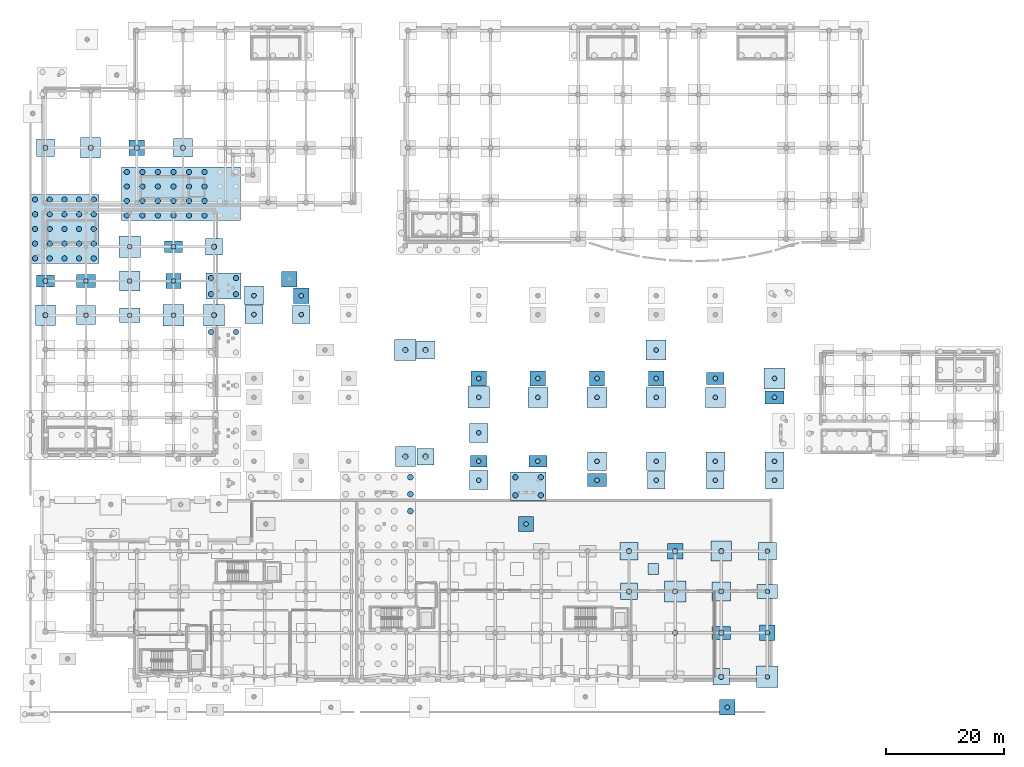
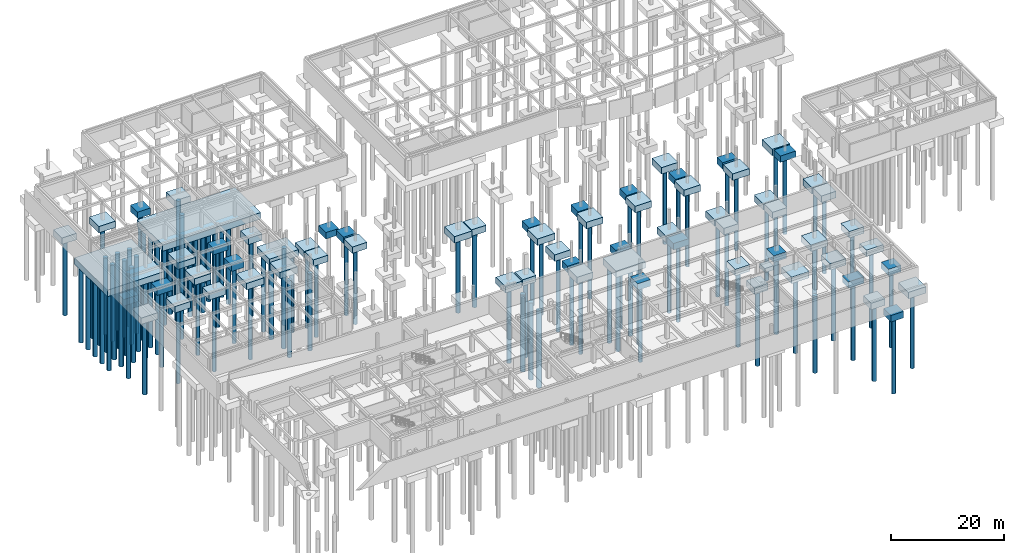
# One storey, part 3 of 22: 126 piles, 69 footings.
"""IFC4 building model written with IfcOpenShell, lengths in metres."""

from ifc_helpers import new_model, si_unit, direction, frame, origin, origin_2d, place, context, subcontext, project, spatial, polyline, rectangle, circle, outline, extrude, material, material_profile, profile_set, type_object, element, save


model = new_model("IFC4")

# Units and contexts
model_context = context("Model", 3, precision=1e-05, world=origin(), true_north=direction((0.0, 1.0)))
body_context = subcontext(model_context, "Body", "Model", "MODEL_VIEW")
ifc_project = project(units=[si_unit("LENGTHUNIT", "METRE"), si_unit("AREAUNIT", "SQUARE_METRE"), si_unit("VOLUMEUNIT", "CUBIC_METRE"), si_unit("PLANEANGLEUNIT", "RADIAN"), si_unit("MASSUNIT", "GRAM", prefix="KILO")], contexts=[model_context])

# Site, building, storey
site_placement = place(None, origin())
site = spatial("IfcSite", under=ifc_project, at=site_placement, CompositionType="ELEMENT")
building_placement = place(site_placement, origin())
building = spatial("IfcBuilding", under=site, at=building_placement, Name="Valcora Specialist Clinic", CompositionType="ELEMENT")
storey_placement = place(building_placement, frame((0.0, 0.0, -4.419921875)))
storey = spatial("IfcBuildingStorey", under=building, at=storey_placement, Name="B1", CompositionType="ELEMENT", Elevation=-4.419921875)

# Footings
ifc_material = material(Name="Concrete C35/45", Category="concrete")
footing_type_1 = type_object("IfcFootingType", Name="TY-FT-PC2600", PredefinedType="PILE_CAP", material=ifc_material)
for number, where, z_axis, x_axis, name in (
    (1, (22.39990234375, 67.678955078125, -1.400146484375), (0.0, 0.0, 1.0), (1.0, 0.0, 0.0), "Pile cap FT-PC-024"),
    (2, (16.199951171875, 90.199951171875, -1.400146484375), (0.0, 0.0, 1.0), (1.0, 0.0, 0.0), "Pile cap FT-PC-036"),
    (3, (107.199951171875, 22.0, -1.400146484375), (0.0, 0.0, 1.0), (1.0, 0.0, 0.0), "Pile cap FT-PC-168"),
    (4, (122.800048828125, 8.199951171875, -1.400146484375), (0.0, 0.0, 1.0), (1.0, 0.0, 0.0), "Pile cap FT-PC-174"),
    (5, (82.0, 26.60009765625, -1.400146484375), (0.0, 0.0, 1.0), (1.0, 0.0, 0.0), "Pile cap FT-PC-192"),
    (6, (44.0, 65.199951171875, -1.400146484375), (0.0, 0.0, 1.0), (1.0, 0.0, 0.0), "Pile cap FT-PC-213"),
    (7, (74.0, 51.199951171875, -1.400146484375), (0.0, 0.0, 1.0), (1.0, 0.0, 0.0), "Pile cap FT-PC-222"),
    (8, (84.0, 51.199951171875, -1.400146484375), (0.0, 0.0, 1.0), (1.0, 0.0, 0.0), "Pile cap FT-PC-227"),
    (9, (94.0, 51.199951171875, -1.400146484375), (0.0, 0.0, 1.0), (1.0, 0.0, 0.0), "Pile cap FT-PC-233"),
    (10, (104.0, 51.199951171875, -1.400146484375), (0.0, 0.0, 1.0), (1.0, 0.0, 0.0), "Pile cap FT-PC-239"),
    (11, (116.0, -4.39990234375, -1.400146484375), (0.0, 0.0, 1.0), (1.0, 0.0, 0.0), "Pile cap FT-PC-258"),
    (12, (42.0, 68.0, -1.400146484375), (0.0, 0.0, 1.0), (1.0, 0.0, 0.0), "Pile cap FT-PC-266"),
):
    element("IfcFooting", number, at=place(storey_placement, frame(where, z_axis=z_axis, x_axis=x_axis)), inside=storey, type_object=footing_type_1, Name=name, PredefinedType="PILE_CAP", context=body_context, shape_type="SweptSolid", body=[
        extrude(rectangle(XDim=2.60009765625, YDim=2.60009765625, at=origin_2d()), origin(), (0.0, 0.0, 1.0), 1.39990234375),
    ])
footing_type_2 = type_object("IfcFootingType", Name="TY-FT-PC2800", PredefinedType="PILE_CAP", material=ifc_material)
for number, where, z_axis, x_axis, name in (
    (13, (29.25, 73.464111328125, -1.400146484375), (0.0, 0.0, 1.0), (1.0, 0.0, 0.0), "Pile cap FT-PC-031"),
    (14, (99.39990234375, 15.199951171875, -1.400146484375), (0.0, 0.0, 1.0), (1.0, 0.0, 0.0), "Pile cap FT-PC-163"),
    (15, (115.0, 0.75, -1.400146484375), (0.0, 0.0, 1.0), (1.0, 0.0, 0.0), "Pile cap FT-PC-169"),
    (16, (65.0, 38.0, -1.400146484375), (0.0, 0.0, 1.0), (1.0, 0.0, 0.0), "Pile cap FT-PC-181"),
):
    element("IfcFooting", number, at=place(storey_placement, frame(where, z_axis=z_axis, x_axis=x_axis)), inside=storey, type_object=footing_type_2, Name=name, PredefinedType="PILE_CAP", context=body_context, shape_type="SweptSolid", body=[
        extrude(rectangle(XDim=2.800048828125, YDim=2.800048828125, at=origin_2d()), origin(), (0.0, 0.0, 1.0), 1.39990234375),
    ])
footing_type_3 = type_object("IfcFootingType", Name="TY-FT-PC2800X2000", PredefinedType="PILE_CAP", material=ifc_material)
footing_1_placement = place(storey_placement, frame((74.0, 37.199951171875, -1.400146484375), z_axis=(0.0, 0.0, 1.0), x_axis=(1.0, 0.0, 0.0)))
element("IfcFooting", 17, at=footing_1_placement, inside=storey, type_object=footing_type_3, Name="Pile cap FT-PC-220", PredefinedType="PILE_CAP", context=body_context, shape_type="SweptSolid", body=[
    extrude(rectangle(XDim=2.800048828125, YDim=2.0, at=origin_2d()), origin(), (0.0, 0.0, 1.0), 1.39990234375),
])
footing_type_4 = type_object("IfcFootingType", Name="TY-FT-PC3000", PredefinedType="PILE_CAP", material=ifc_material)
for number, where, z_axis, x_axis, name in (
    (18, (0.75, 90.199951171875, -1.400146484375), (0.0, 0.0, 1.0), (1.0, 0.0, 0.0), "Pile cap FT-PC-032"),
    (19, (99.39990234375, 22.0, -1.400146484375), (0.0, 0.0, 1.0), (1.0, 0.0, 0.0), "Pile cap FT-PC-164"),
    (20, (122.800048828125, 22.0, -1.400146484375), (0.0, 0.0, 1.0), (1.0, 0.0, 0.0), "Pile cap FT-PC-176"),
    (21, (65.0, 56.0, -1.400146484375), (0.0, 0.0, 1.0), (1.0, 0.0, 0.0), "Pile cap FT-PC-182"),
    (22, (36.0, 62.0, -1.400146484375), (0.0, 0.0, 1.0), (1.0, 0.0, 0.0), "Pile cap FT-PC-206"),
    (23, (44.0, 62.0, -1.400146484375), (0.0, 0.0, 1.0), (1.0, 0.0, 0.0), "Pile cap FT-PC-212"),
    (24, (104.0, 34.0, -1.400146484375), (0.0, 0.0, 1.0), (1.0, 0.0, 0.0), "Pile cap FT-PC-236"),
    (25, (114.0, 34.0, -1.400146484375), (0.0, 0.0, 1.0), (1.0, 0.0, 0.0), "Pile cap FT-PC-242"),
    (26, (124.0, 34.0, -1.400146484375), (0.0, 0.0, 1.0), (1.0, 0.0, 0.0), "Pile cap FT-PC-248"),
):
    element("IfcFooting", number, at=place(storey_placement, frame(where, z_axis=z_axis, x_axis=x_axis)), inside=storey, type_object=footing_type_4, Name=name, PredefinedType="PILE_CAP", context=body_context, shape_type="SweptSolid", body=[
        extrude(rectangle(XDim=3.0, YDim=3.0, at=origin_2d()), origin(), (0.0, 0.0, 1.0), 1.39990234375),
    ])
footing_type_5 = type_object("IfcFootingType", Name="TY-FT-PC3000X2000", PredefinedType="PILE_CAP", material=ifc_material)
for number, where, z_axis, x_axis, name in (
    (27, (0.75, 67.678955078125, -1.400146484375), (0.0, 0.0, 1.0), (1.0, 0.0, 0.0), "Pile cap FT-PC-005"),
    (28, (22.39990234375, 73.464111328125, -1.400146484375), (0.0, 0.0, 1.0), (1.0, 0.0, 0.0), "Pile cap FT-PC-025"),
    (29, (84.0, 37.199951171875, -1.400146484375), (0.0, 0.0, 1.0), (1.0, 0.0, 0.0), "Pile cap FT-PC-225"),
    (30, (114.0, 51.199951171875, -1.400146484375), (0.0, 0.0, 1.0), (1.0, 0.0, 0.0), "Pile cap FT-PC-245"),
):
    element("IfcFooting", number, at=place(storey_placement, frame(where, z_axis=z_axis, x_axis=x_axis)), inside=storey, type_object=footing_type_5, Name=name, PredefinedType="PILE_CAP", context=body_context, shape_type="SweptSolid", body=[
        extrude(rectangle(XDim=3.0, YDim=2.0, at=origin_2d()), origin(), (0.0, 0.0, 1.0), 1.39990234375),
    ])
footing_type_6 = type_object("IfcFootingType", Name="TY-FT-PC3200", PredefinedType="PILE_CAP", material=ifc_material)
for number, where, z_axis, x_axis, name in (
    (31, (7.60009765625, 61.89306640625, -1.400146484375), (0.0, 0.0, 1.0), (1.0, 0.0, 0.0), "Pile cap FT-PC-009"),
    (32, (24.0, 90.199951171875, -1.400146484375), (0.0, 0.0, 1.0), (1.0, 0.0, 0.0), "Pile cap FT-PC-039"),
    (33, (115.0, 15.199951171875, -1.400146484375), (0.0, 0.0, 1.0), (1.0, 0.0, 0.0), "Pile cap FT-PC-171"),
    (34, (36.0, 65.199951171875, -1.400146484375), (0.0, 0.0, 1.0), (1.0, 0.0, 0.0), "Pile cap FT-PC-207"),
    (35, (74.0, 34.0, -1.400146484375), (0.0, 0.0, 1.0), (1.0, 0.0, 0.0), "Pile cap FT-PC-219"),
    (36, (94.0, 37.199951171875, -1.400146484375), (0.0, 0.0, 1.0), (1.0, 0.0, 0.0), "Pile cap FT-PC-231"),
    (37, (104.0, 37.199951171875, -1.400146484375), (0.0, 0.0, 1.0), (1.0, 0.0, 0.0), "Pile cap FT-PC-237"),
    (38, (114.0, 37.199951171875, -1.400146484375), (0.0, 0.0, 1.0), (1.0, 0.0, 0.0), "Pile cap FT-PC-243"),
    (39, (124.0, 37.199951171875, -1.400146484375), (0.0, 0.0, 1.0), (1.0, 0.0, 0.0), "Pile cap FT-PC-249"),
    (40, (74.0, 42.0, -1.400146484375), (0.0, 0.0, 1.0), (1.0, 0.0, 0.0), "Pile cap FT-PC-267"),
):
    element("IfcFooting", number, at=place(storey_placement, frame(where, z_axis=z_axis, x_axis=x_axis)), inside=storey, type_object=footing_type_6, Name=name, PredefinedType="PILE_CAP", context=body_context, shape_type="SweptSolid", body=[
        extrude(rectangle(XDim=3.199951171875, YDim=3.199951171875, at=origin_2d()), origin(), (0.0, 0.0, 1.0), 1.39990234375),
    ])
footing_type_7 = type_object("IfcFootingType", Name="TY-FT-PC3200X2200", PredefinedType="PILE_CAP", material=ifc_material)
for number, where, z_axis, x_axis, name in (
    (41, (7.60009765625, 67.678955078125, -1.400146484375), (0.0, 0.0, 1.0), (1.0, 0.0, 0.0), "Pile cap FT-PC-010"),
    (42, (115.0, 8.199951171875, -1.400146484375), (0.0, 0.0, 1.0), (1.0, 0.0, 0.0), "Pile cap FT-PC-170"),
    (43, (94.0, 34.0, -1.400146484375), (0.0, 0.0, 1.0), (1.0, 0.0, 0.0), "Pile cap FT-PC-230"),
    (44, (124.0, 48.0, -1.400146484375), (0.0, 0.0, 1.0), (1.0, 0.0, 0.0), "Pile cap FT-PC-250"),
):
    element("IfcFooting", number, at=place(storey_placement, frame(where, z_axis=z_axis, x_axis=x_axis)), inside=storey, type_object=footing_type_7, Name=name, PredefinedType="PILE_CAP", context=body_context, shape_type="SweptSolid", body=[
        extrude(rectangle(XDim=3.199951171875, YDim=2.199951171875, at=origin_2d()), origin(), (0.0, 0.0, 1.0), 1.39990234375),
    ])
footing_type_8 = type_object("IfcFootingType", Name="TY-FT-PC3400", PredefinedType="PILE_CAP", material=ifc_material)
for number, where, z_axis, x_axis, name in (
    (45, (0.75, 61.89306640625, -1.400146484375), (0.0, 0.0, 1.0), (1.0, 0.0, 0.0), "Pile cap FT-PC-004"),
    (46, (15.0, 67.678955078125, -1.400146484375), (0.0, 0.0, 1.0), (1.0, 0.0, 0.0), "Pile cap FT-PC-016"),
    (47, (8.39990234375, 90.199951171875, -1.400146484375), (0.0, 0.0, 1.0), (1.0, 0.0, 0.0), "Pile cap FT-PC-034"),
    (48, (115.0, 22.0, -1.400146484375), (0.0, 0.0, 1.0), (1.0, 0.0, 0.0), "Pile cap FT-PC-172"),
    (49, (61.60009765625, 38.0, -1.400146484375), (0.0, 0.0, 1.0), (1.0, 0.0, 0.0), "Pile cap FT-PC-178"),
    (50, (84.0, 48.0, -1.400146484375), (0.0, 0.0, 1.0), (1.0, 0.0, 0.0), "Pile cap FT-PC-226"),
    (51, (94.0, 48.0, -1.400146484375), (0.0, 0.0, 1.0), (1.0, 0.0, 0.0), "Pile cap FT-PC-232"),
    (52, (104.0, 48.0, -1.400146484375), (0.0, 0.0, 1.0), (1.0, 0.0, 0.0), "Pile cap FT-PC-238"),
    (53, (114.0, 48.0, -1.400146484375), (0.0, 0.0, 1.0), (1.0, 0.0, 0.0), "Pile cap FT-PC-244"),
    (54, (104.0, 56.0, -1.400146484375), (0.0, 0.0, 1.0), (1.0, 0.0, 0.0), "Pile cap FT-PC-268"),
):
    element("IfcFooting", number, at=place(storey_placement, frame(where, z_axis=z_axis, x_axis=x_axis)), inside=storey, type_object=footing_type_8, Name=name, PredefinedType="PILE_CAP", context=body_context, shape_type="SweptSolid", body=[
        extrude(rectangle(XDim=3.39990234375, YDim=3.39990234375, at=origin_2d()), origin(), (0.0, 0.0, 1.0), 1.39990234375),
    ])
footing_type_9 = type_object("IfcFootingType", Name="TY-FT-PC3500X2400", PredefinedType="PILE_CAP", material=ifc_material)
for number, where, z_axis, x_axis, name in (
    (55, (15.0, 61.89306640625, -1.400146484375), (0.0, 0.0, 1.0), (1.0, 0.0, 0.0), "Pile cap FT-PC-015"),
    (56, (122.800048828125, 15.199951171875, -1.400146484375), (0.0, 0.0, 1.0), (1.0, 0.0, 0.0), "Pile cap FT-PC-175"),
):
    element("IfcFooting", number, at=place(storey_placement, frame(where, z_axis=z_axis, x_axis=x_axis)), inside=storey, type_object=footing_type_9, Name=name, PredefinedType="PILE_CAP", context=body_context, shape_type="SweptSolid", body=[
        extrude(rectangle(XDim=3.5, YDim=2.39990234375, at=origin_2d()), origin(), (0.0, 0.0, 1.0), 1.39990234375),
    ])
footing_type_10 = type_object("IfcFootingType", Name="TY-FT-PC3600", PredefinedType="PILE_CAP", material=ifc_material)
for number, where, z_axis, x_axis, name in (
    (57, (15.0, 73.464111328125, -1.400146484375), (0.0, 0.0, 1.0), (1.0, 0.0, 0.0), "Pile cap FT-PC-017"),
    (58, (22.39990234375, 61.89306640625, -1.400146484375), (0.0, 0.0, 1.0), (1.0, 0.0, 0.0), "Pile cap FT-PC-023"),
    (59, (29.25, 61.89306640625, -1.400146484375), (0.0, 0.0, 1.0), (1.0, 0.0, 0.0), "Pile cap FT-PC-029"),
    (60, (107.199951171875, 15.199951171875, -1.400146484375), (0.0, 0.0, 1.0), (1.0, 0.0, 0.0), "Pile cap FT-PC-167"),
    (61, (122.800048828125, 0.75, -1.400146484375), (0.0, 0.0, 1.0), (1.0, 0.0, 0.0), "Pile cap FT-PC-173"),
    (62, (61.60009765625, 56.0, -1.400146484375), (0.0, 0.0, 1.0), (1.0, 0.0, 0.0), "Pile cap FT-PC-179"),
    (63, (74.0, 48.0, -1.400146484375), (0.0, 0.0, 1.0), (1.0, 0.0, 0.0), "Pile cap FT-PC-221"),
    (64, (124.0, 51.199951171875, -1.400146484375), (0.0, 0.0, 1.0), (1.0, 0.0, 0.0), "Pile cap FT-PC-251"),
):
    element("IfcFooting", number, at=place(storey_placement, frame(where, z_axis=z_axis, x_axis=x_axis)), inside=storey, type_object=footing_type_10, Name=name, PredefinedType="PILE_CAP", context=body_context, shape_type="SweptSolid", body=[
        extrude(rectangle(XDim=3.60009765625, YDim=3.60009765625, at=origin_2d()), origin(), (0.0, 0.0, 1.0), 1.39990234375),
    ])
footing_type_11 = type_object("IfcFootingType", Name="TY-FT-PC4200X2800", PredefinedType="PILE_CAP", material=ifc_material)
footing_2_placement = place(storey_placement, frame((0.0, 0.0, -1.400146484375)))
element("IfcFooting", 65, at=footing_2_placement, inside=storey, type_object=footing_type_11, Name="Combined pile cap FT-PC-006", PredefinedType="PILE_CAP", context=body_context, shape_type="SweptSolid", body=[
    extrude(outline(polyline([(-1.85009765625, 70.64990234375), (9.77001953125, 70.64990234375), (9.77001953125, 82.300048828125), (-1.85009765625, 82.300048828125), (-1.85009765625, 70.64990234375)])), origin(), (0.0, 0.0, 1.0), 1.400146484375),
])
footing_3_placement = place(storey_placement, frame((0.0, 0.0, -1.400146484375)))
element("IfcFooting", 66, at=footing_3_placement, inside=storey, type_object=footing_type_11, Name="Combined pile cap FT-PC-018", PredefinedType="PILE_CAP", context=body_context, shape_type="SweptSolid", body=[
    extrude(outline(polyline([(13.64990234375, 77.89990234375), (33.75, 77.89990234375), (33.75, 86.949951171875), (13.64990234375, 86.949951171875), (13.64990234375, 77.89990234375)])), origin(), (0.0, 0.0, 1.0), 1.400146484375),
])
footing_4_placement = place(storey_placement, frame((0.0, 0.0, -1.400146484375)))
element("IfcFooting", 67, at=footing_4_placement, inside=storey, type_object=footing_type_11, Name="Combined pile cap FT-PC-030", PredefinedType="PILE_CAP", context=body_context, shape_type="SweptSolid", body=[
    extrude(outline(polyline([(27.89990234375, 64.60009765625), (33.800048828125, 64.60009765625), (33.800048828125, 69.029052734375), (27.89990234375, 69.029052734375), (27.89990234375, 64.60009765625)])), origin(), (0.0, 0.0, 1.0), 1.400146484375),
])
footing_type_12 = type_object("IfcFootingType", Name="TY-FT-PC4800X3200", PredefinedType="PILE_CAP", material=ifc_material)
footing_5_placement = place(storey_placement, frame((0.0, 0.0, -1.400146484375)))
element("IfcFooting", 68, at=footing_5_placement, inside=storey, type_object=footing_type_12, Name="Combined pile cap FT-PC-191", PredefinedType="PILE_CAP", context=body_context, shape_type="SweptSolid", body=[
    extrude(outline(polyline([(79.35009765625, 30.60009765625), (85.35009765625, 30.60009765625), (85.35009765625, 35.35009765625), (79.35009765625, 35.35009765625), (79.35009765625, 30.60009765625)])), origin(), (0.0, 0.0, 1.0), 1.400146484375),
])
footing_type_13 = type_object("IfcFootingType", Name="TY-FT-PD1800", PredefinedType="PAD_FOOTING", material=ifc_material)
footing_6_placement = place(storey_placement, frame((103.5, 19.0, -0.900146484375), z_axis=(0.0, 0.0, 1.0), x_axis=(1.0, 0.0, 0.0)))
element("IfcFooting", 69, at=footing_6_placement, inside=storey, type_object=footing_type_13, Name="Equipment pad footing FT-PAD-06", PredefinedType="PAD_FOOTING", context=body_context, shape_type="SweptSolid", body=[
    extrude(rectangle(XDim=1.800048828125, YDim=1.800048828125, at=origin_2d()), origin(), (0.0, 0.0, 1.0), 0.89990234375),
])

# Piles
ifc_material_profile_1 = material_profile(ifc_material, circle(Radius=0.5, at=origin_2d()), Name="RC-PIL-D1000")
ifc_profile_set_1 = profile_set([ifc_material_profile_1], Name="Concrete C35/45")
pile_type_1 = type_object("IfcPileType", Name="TY-PL-B1000", PredefinedType="BORED", material=ifc_profile_set_1)
for number, where, z_axis, x_axis, name in (
    (70, (62.449951171875, 28.76708984375, -1.300048828125), (0.0, 0.0, -1.0), (1.0, 0.0, 0.0), "Bored pile PL-FT-PC-144-63"),
    (71, (62.449951171875, 31.633056640625, -1.300048828125), (0.0, 0.0, -1.0), (1.0, 0.0, 0.0), "Bored pile PL-FT-PC-144-64"),
    (72, (62.449951171875, 34.5, -1.300048828125), (0.0, 0.0, -1.0), (1.0, 0.0, 0.0), "Bored pile PL-FT-PC-144-65"),
):
    element("IfcPile", number, at=place(storey_placement, frame(where, z_axis=z_axis, x_axis=x_axis)), inside=storey, type_object=pile_type_1, Name=name, PredefinedType="BORED", context=body_context, shape_type="SweptSolid", body=[
        extrude(circle(Radius=0.5, at=origin_2d()), origin(), (0.0, 0.0, 1.0), 16.699951171875),
    ])
ifc_material_profile_2 = material_profile(ifc_material, circle(Radius=0.39990234375, at=origin_2d()), Name="RC-PIL-D800")
ifc_profile_set_2 = profile_set([ifc_material_profile_2], Name="Concrete C35/45")
pile_type_2 = type_object("IfcPileType", Name="TY-PL-B800", PredefinedType="BORED", material=ifc_profile_set_2)
for number, where, z_axis, x_axis, name in (
    (73, (7.60009765625, 61.89306640625, -1.300048828125), (0.0, 0.0, -1.0), (1.0, 0.0, 0.0), "Bored pile PL-FT-PC-009-01"),
    (74, (7.60009765625, 67.678955078125, -1.300048828125), (0.0, 0.0, -1.0), (1.0, 0.0, 0.0), "Bored pile PL-FT-PC-010-01"),
    (75, (15.0, 61.89306640625, -1.300048828125), (0.0, 0.0, -1.0), (1.0, 0.0, 0.0), "Bored pile PL-FT-PC-015-01"),
    (76, (15.0, 67.678955078125, -1.300048828125), (0.0, 0.0, -1.0), (1.0, 0.0, 0.0), "Bored pile PL-FT-PC-016-01"),
    (77, (15.0, 73.464111328125, -1.300048828125), (0.0, 0.0, -1.0), (1.0, 0.0, 0.0), "Bored pile PL-FT-PC-017-01"),
    (78, (22.39990234375, 61.89306640625, -1.300048828125), (0.0, 0.0, -1.0), (1.0, 0.0, 0.0), "Bored pile PL-FT-PC-023-01"),
    (79, (22.39990234375, 67.678955078125, -1.300048828125), (0.0, 0.0, -1.0), (1.0, 0.0, 0.0), "Bored pile PL-FT-PC-024-01"),
    (80, (22.39990234375, 73.464111328125, -1.300048828125), (0.0, 0.0, -1.0), (1.0, 0.0, 0.0), "Bored pile PL-FT-PC-025-01"),
    (81, (122.800048828125, 0.75, -1.300048828125), (0.0, 0.0, -1.0), (1.0, 0.0, 0.0), "Bored pile PL-FT-PC-173-01"),
    (82, (122.800048828125, 8.199951171875, -1.300048828125), (0.0, 0.0, -1.0), (1.0, 0.0, 0.0), "Bored pile PL-FT-PC-174-01"),
    (83, (122.800048828125, 15.199951171875, -1.300048828125), (0.0, 0.0, -1.0), (1.0, 0.0, 0.0), "Bored pile PL-FT-PC-175-01"),
    (84, (122.800048828125, 22.0, -1.300048828125), (0.0, 0.0, -1.0), (1.0, 0.0, 0.0), "Bored pile PL-FT-PC-176-01"),
    (85, (82.0, 26.60009765625, -1.300048828125), (0.0, 0.0, -1.0), (1.0, 0.0, 0.0), "Bored pile PL-FT-PC-192-01"),
    (86, (36.0, 62.0, -1.300048828125), (0.0, 0.0, -1.0), (1.0, 0.0, 0.0), "Bored pile PL-FT-PC-206-01"),
    (87, (36.0, 65.199951171875, -1.300048828125), (0.0, 0.0, -1.0), (1.0, 0.0, 0.0), "Bored pile PL-FT-PC-207-01"),
    (88, (44.0, 62.0, -1.300048828125), (0.0, 0.0, -1.0), (1.0, 0.0, 0.0), "Bored pile PL-FT-PC-212-01"),
    (89, (44.0, 65.199951171875, -1.300048828125), (0.0, 0.0, -1.0), (1.0, 0.0, 0.0), "Bored pile PL-FT-PC-213-01"),
    (90, (74.0, 34.0, -1.300048828125), (0.0, 0.0, -1.0), (1.0, 0.0, 0.0), "Bored pile PL-FT-PC-219-01"),
    (91, (74.0, 37.199951171875, -1.300048828125), (0.0, 0.0, -1.0), (1.0, 0.0, 0.0), "Bored pile PL-FT-PC-220-01"),
    (92, (74.0, 48.0, -1.300048828125), (0.0, 0.0, -1.0), (1.0, 0.0, 0.0), "Bored pile PL-FT-PC-221-01"),
    (93, (74.0, 51.199951171875, -1.300048828125), (0.0, 0.0, -1.0), (1.0, 0.0, 0.0), "Bored pile PL-FT-PC-222-01"),
    (94, (84.0, 37.199951171875, -1.300048828125), (0.0, 0.0, -1.0), (1.0, 0.0, 0.0), "Bored pile PL-FT-PC-225-01"),
    (95, (84.0, 48.0, -1.300048828125), (0.0, 0.0, -1.0), (1.0, 0.0, 0.0), "Bored pile PL-FT-PC-226-01"),
    (96, (84.0, 51.199951171875, -1.300048828125), (0.0, 0.0, -1.0), (1.0, 0.0, 0.0), "Bored pile PL-FT-PC-227-01"),
    (97, (94.0, 34.0, -1.300048828125), (0.0, 0.0, -1.0), (1.0, 0.0, 0.0), "Bored pile PL-FT-PC-230-01"),
    (98, (94.0, 37.199951171875, -1.300048828125), (0.0, 0.0, -1.0), (1.0, 0.0, 0.0), "Bored pile PL-FT-PC-231-01"),
    (99, (94.0, 48.0, -1.300048828125), (0.0, 0.0, -1.0), (1.0, 0.0, 0.0), "Bored pile PL-FT-PC-232-01"),
    (100, (94.0, 51.199951171875, -1.300048828125), (0.0, 0.0, -1.0), (1.0, 0.0, 0.0), "Bored pile PL-FT-PC-233-01"),
    (101, (104.0, 34.0, -1.300048828125), (0.0, 0.0, -1.0), (1.0, 0.0, 0.0), "Bored pile PL-FT-PC-236-01"),
    (102, (104.0, 37.199951171875, -1.300048828125), (0.0, 0.0, -1.0), (1.0, 0.0, 0.0), "Bored pile PL-FT-PC-237-01"),
    (103, (104.0, 48.0, -1.300048828125), (0.0, 0.0, -1.0), (1.0, 0.0, 0.0), "Bored pile PL-FT-PC-238-01"),
    (104, (104.0, 51.199951171875, -1.300048828125), (0.0, 0.0, -1.0), (1.0, 0.0, 0.0), "Bored pile PL-FT-PC-239-01"),
    (105, (114.0, 34.0, -1.300048828125), (0.0, 0.0, -1.0), (1.0, 0.0, 0.0), "Bored pile PL-FT-PC-242-01"),
    (106, (114.0, 37.199951171875, -1.300048828125), (0.0, 0.0, -1.0), (1.0, 0.0, 0.0), "Bored pile PL-FT-PC-243-01"),
    (107, (114.0, 48.0, -1.300048828125), (0.0, 0.0, -1.0), (1.0, 0.0, 0.0), "Bored pile PL-FT-PC-244-01"),
    (108, (114.0, 51.199951171875, -1.300048828125), (0.0, 0.0, -1.0), (1.0, 0.0, 0.0), "Bored pile PL-FT-PC-245-01"),
    (109, (124.0, 34.0, -1.300048828125), (0.0, 0.0, -1.0), (1.0, 0.0, 0.0), "Bored pile PL-FT-PC-248-01"),
    (110, (124.0, 37.199951171875, -1.300048828125), (0.0, 0.0, -1.0), (1.0, 0.0, 0.0), "Bored pile PL-FT-PC-249-01"),
    (111, (124.0, 48.0, -1.300048828125), (0.0, 0.0, -1.0), (1.0, 0.0, 0.0), "Bored pile PL-FT-PC-250-01"),
    (112, (124.0, 51.199951171875, -1.300048828125), (0.0, 0.0, -1.0), (1.0, 0.0, 0.0), "Bored pile PL-FT-PC-251-01"),
    (113, (116.0, -4.39990234375, -1.300048828125), (0.0, 0.0, -1.0), (1.0, 0.0, 0.0), "Bored pile PL-FT-PC-258-01"),
    (114, (74.0, 42.0, -1.300048828125), (0.0, 0.0, -1.0), (1.0, 0.0, 0.0), "Bored pile PL-FT-PC-267-01"),
    (115, (104.0, 56.0, -1.300048828125), (0.0, 0.0, -1.0), (1.0, 0.0, 0.0), "Bored pile PL-FT-PC-268-01"),
):
    element("IfcPile", number, at=place(storey_placement, frame(where, z_axis=z_axis, x_axis=x_axis)), inside=storey, type_object=pile_type_2, Name=name, PredefinedType="BORED", context=body_context, shape_type="SweptSolid", body=[
        extrude(circle(Radius=0.39990234375, at=origin_2d()), origin(), (0.0, 0.0, 1.0), 16.699951171875),
    ])
ifc_material_profile_3 = material_profile(ifc_material, circle(Radius=0.449951171875, at=origin_2d()), Name="RC-PIL-D900")
ifc_profile_set_3 = profile_set([ifc_material_profile_3], Name="Concrete C35/45")
pile_type_3 = type_object("IfcPileType", Name="TY-PL-B900", PredefinedType="BORED", material=ifc_profile_set_3)
for number, where, z_axis, x_axis, name in (
    (116, (0.75, 61.89306640625, -1.300048828125), (0.0, 0.0, -1.0), (1.0, 0.0, 0.0), "Bored pile PL-FT-PC-004-01"),
    (117, (0.75, 67.678955078125, -1.300048828125), (0.0, 0.0, -1.0), (1.0, 0.0, 0.0), "Bored pile PL-FT-PC-005-01"),
    (118, (-1.0, 71.5, -1.300048828125), (0.0, 0.0, -1.0), (1.0, 0.0, 0.0), "Bored pile PL-FT-PC-006-01"),
    (119, (-1.0, 73.987060546875, -1.300048828125), (0.0, 0.0, -1.0), (1.0, 0.0, 0.0), "Bored pile PL-FT-PC-006-02"),
    (120, (-1.0, 76.47509765625, -1.300048828125), (0.0, 0.0, -1.0), (1.0, 0.0, 0.0), "Bored pile PL-FT-PC-006-03"),
    (121, (-1.0, 78.962890625, -1.300048828125), (0.0, 0.0, -1.0), (1.0, 0.0, 0.0), "Bored pile PL-FT-PC-006-04"),
    (122, (-1.0, 81.449951171875, -1.300048828125), (0.0, 0.0, -1.0), (1.0, 0.0, 0.0), "Bored pile PL-FT-PC-006-05"),
    (123, (1.47998046875, 71.5, -1.300048828125), (0.0, 0.0, -1.0), (1.0, 0.0, 0.0), "Bored pile PL-FT-PC-006-06"),
    (124, (1.47998046875, 73.987060546875, -1.300048828125), (0.0, 0.0, -1.0), (1.0, 0.0, 0.0), "Bored pile PL-FT-PC-006-07"),
    (125, (1.47998046875, 76.47509765625, -1.300048828125), (0.0, 0.0, -1.0), (1.0, 0.0, 0.0), "Bored pile PL-FT-PC-006-08"),
    (126, (1.47998046875, 78.962890625, -1.300048828125), (0.0, 0.0, -1.0), (1.0, 0.0, 0.0), "Bored pile PL-FT-PC-006-09"),
    (127, (1.47998046875, 81.449951171875, -1.300048828125), (0.0, 0.0, -1.0), (1.0, 0.0, 0.0), "Bored pile PL-FT-PC-006-10"),
    (128, (3.9599609375, 71.5, -1.300048828125), (0.0, 0.0, -1.0), (1.0, 0.0, 0.0), "Bored pile PL-FT-PC-006-11"),
    (129, (3.9599609375, 73.987060546875, -1.300048828125), (0.0, 0.0, -1.0), (1.0, 0.0, 0.0), "Bored pile PL-FT-PC-006-12"),
    (130, (3.9599609375, 76.47509765625, -1.300048828125), (0.0, 0.0, -1.0), (1.0, 0.0, 0.0), "Bored pile PL-FT-PC-006-13"),
    (131, (3.9599609375, 78.962890625, -1.300048828125), (0.0, 0.0, -1.0), (1.0, 0.0, 0.0), "Bored pile PL-FT-PC-006-14"),
    (132, (3.9599609375, 81.449951171875, -1.300048828125), (0.0, 0.0, -1.0), (1.0, 0.0, 0.0), "Bored pile PL-FT-PC-006-15"),
    (133, (6.43994140625, 71.5, -1.300048828125), (0.0, 0.0, -1.0), (1.0, 0.0, 0.0), "Bored pile PL-FT-PC-006-16"),
    (134, (6.43994140625, 73.987060546875, -1.300048828125), (0.0, 0.0, -1.0), (1.0, 0.0, 0.0), "Bored pile PL-FT-PC-006-17"),
    (135, (6.43994140625, 76.47509765625, -1.300048828125), (0.0, 0.0, -1.0), (1.0, 0.0, 0.0), "Bored pile PL-FT-PC-006-18"),
    (136, (6.43994140625, 78.962890625, -1.300048828125), (0.0, 0.0, -1.0), (1.0, 0.0, 0.0), "Bored pile PL-FT-PC-006-19"),
    (137, (6.43994140625, 81.449951171875, -1.300048828125), (0.0, 0.0, -1.0), (1.0, 0.0, 0.0), "Bored pile PL-FT-PC-006-20"),
    (138, (8.919921875, 71.5, -1.300048828125), (0.0, 0.0, -1.0), (1.0, 0.0, 0.0), "Bored pile PL-FT-PC-006-21"),
    (139, (8.919921875, 73.987060546875, -1.300048828125), (0.0, 0.0, -1.0), (1.0, 0.0, 0.0), "Bored pile PL-FT-PC-006-22"),
    (140, (8.919921875, 76.47509765625, -1.300048828125), (0.0, 0.0, -1.0), (1.0, 0.0, 0.0), "Bored pile PL-FT-PC-006-23"),
    (141, (8.919921875, 78.962890625, -1.300048828125), (0.0, 0.0, -1.0), (1.0, 0.0, 0.0), "Bored pile PL-FT-PC-006-24"),
    (142, (8.919921875, 81.449951171875, -1.300048828125), (0.0, 0.0, -1.0), (1.0, 0.0, 0.0), "Bored pile PL-FT-PC-006-25"),
    (143, (14.5, 78.75, -1.300048828125), (0.0, 0.0, -1.0), (1.0, 0.0, 0.0), "Bored pile PL-FT-PC-018-01"),
    (144, (14.5, 81.199951171875, -1.300048828125), (0.0, 0.0, -1.0), (1.0, 0.0, 0.0), "Bored pile PL-FT-PC-018-02"),
    (145, (14.5, 83.64990234375, -1.300048828125), (0.0, 0.0, -1.0), (1.0, 0.0, 0.0), "Bored pile PL-FT-PC-018-03"),
    (146, (14.5, 86.10009765625, -1.300048828125), (0.0, 0.0, -1.0), (1.0, 0.0, 0.0), "Bored pile PL-FT-PC-018-04"),
    (147, (17.12890625, 78.75, -1.300048828125), (0.0, 0.0, -1.0), (1.0, 0.0, 0.0), "Bored pile PL-FT-PC-018-05"),
    (148, (17.12890625, 81.199951171875, -1.300048828125), (0.0, 0.0, -1.0), (1.0, 0.0, 0.0), "Bored pile PL-FT-PC-018-06"),
    (149, (17.12890625, 83.64990234375, -1.300048828125), (0.0, 0.0, -1.0), (1.0, 0.0, 0.0), "Bored pile PL-FT-PC-018-07"),
    (150, (17.12890625, 86.10009765625, -1.300048828125), (0.0, 0.0, -1.0), (1.0, 0.0, 0.0), "Bored pile PL-FT-PC-018-08"),
    (151, (19.757080078125, 78.75, -1.300048828125), (0.0, 0.0, -1.0), (1.0, 0.0, 0.0), "Bored pile PL-FT-PC-018-09"),
    (152, (19.757080078125, 81.199951171875, -1.300048828125), (0.0, 0.0, -1.0), (1.0, 0.0, 0.0), "Bored pile PL-FT-PC-018-10"),
    (153, (19.757080078125, 83.64990234375, -1.300048828125), (0.0, 0.0, -1.0), (1.0, 0.0, 0.0), "Bored pile PL-FT-PC-018-11"),
    (154, (19.757080078125, 86.10009765625, -1.300048828125), (0.0, 0.0, -1.0), (1.0, 0.0, 0.0), "Bored pile PL-FT-PC-018-12"),
    (155, (22.385986328125, 78.75, -1.300048828125), (0.0, 0.0, -1.0), (1.0, 0.0, 0.0), "Bored pile PL-FT-PC-018-13"),
    (156, (22.385986328125, 81.199951171875, -1.300048828125), (0.0, 0.0, -1.0), (1.0, 0.0, 0.0), "Bored pile PL-FT-PC-018-14"),
    (157, (22.385986328125, 83.64990234375, -1.300048828125), (0.0, 0.0, -1.0), (1.0, 0.0, 0.0), "Bored pile PL-FT-PC-018-15"),
    (158, (22.385986328125, 86.10009765625, -1.300048828125), (0.0, 0.0, -1.0), (1.0, 0.0, 0.0), "Bored pile PL-FT-PC-018-16"),
    (159, (25.013916015625, 78.75, -1.300048828125), (0.0, 0.0, -1.0), (1.0, 0.0, 0.0), "Bored pile PL-FT-PC-018-17"),
    (160, (25.013916015625, 81.199951171875, -1.300048828125), (0.0, 0.0, -1.0), (1.0, 0.0, 0.0), "Bored pile PL-FT-PC-018-18"),
    (161, (25.013916015625, 83.64990234375, -1.300048828125), (0.0, 0.0, -1.0), (1.0, 0.0, 0.0), "Bored pile PL-FT-PC-018-19"),
    (162, (25.013916015625, 86.10009765625, -1.300048828125), (0.0, 0.0, -1.0), (1.0, 0.0, 0.0), "Bored pile PL-FT-PC-018-20"),
    (163, (27.64306640625, 78.75, -1.300048828125), (0.0, 0.0, -1.0), (1.0, 0.0, 0.0), "Bored pile PL-FT-PC-018-21"),
    (164, (27.64306640625, 81.199951171875, -1.300048828125), (0.0, 0.0, -1.0), (1.0, 0.0, 0.0), "Bored pile PL-FT-PC-018-22"),
    (165, (27.64306640625, 83.64990234375, -1.300048828125), (0.0, 0.0, -1.0), (1.0, 0.0, 0.0), "Bored pile PL-FT-PC-018-23"),
    (166, (27.64306640625, 86.10009765625, -1.300048828125), (0.0, 0.0, -1.0), (1.0, 0.0, 0.0), "Bored pile PL-FT-PC-018-24"),
    (167, (28.75, 59.050048828125, -1.300048828125), (0.0, 0.0, -1.0), (1.0, 0.0, 0.0), "Bored pile PL-FT-PC-028-02"),
    (168, (32.949951171875, 59.050048828125, -1.300048828125), (0.0, 0.0, -1.0), (1.0, 0.0, 0.0), "Bored pile PL-FT-PC-028-04"),
    (169, (29.25, 61.89306640625, -1.300048828125), (0.0, 0.0, -1.0), (1.0, 0.0, 0.0), "Bored pile PL-FT-PC-029-01"),
    (170, (28.75, 65.449951171875, -1.300048828125), (0.0, 0.0, -1.0), (1.0, 0.0, 0.0), "Bored pile PL-FT-PC-030-01"),
    (171, (28.75, 68.178955078125, -1.300048828125), (0.0, 0.0, -1.0), (1.0, 0.0, 0.0), "Bored pile PL-FT-PC-030-02"),
    (172, (32.949951171875, 65.449951171875, -1.300048828125), (0.0, 0.0, -1.0), (1.0, 0.0, 0.0), "Bored pile PL-FT-PC-030-03"),
    (173, (32.949951171875, 68.178955078125, -1.300048828125), (0.0, 0.0, -1.0), (1.0, 0.0, 0.0), "Bored pile PL-FT-PC-030-04"),
    (174, (29.25, 73.464111328125, -1.300048828125), (0.0, 0.0, -1.0), (1.0, 0.0, 0.0), "Bored pile PL-FT-PC-031-01"),
    (175, (0.75, 90.199951171875, -1.300048828125), (0.0, 0.0, -1.0), (1.0, 0.0, 0.0), "Bored pile PL-FT-PC-032-01"),
    (176, (8.39990234375, 90.199951171875, -1.300048828125), (0.0, 0.0, -1.0), (1.0, 0.0, 0.0), "Bored pile PL-FT-PC-034-01"),
    (177, (16.199951171875, 90.199951171875, -1.300048828125), (0.0, 0.0, -1.0), (1.0, 0.0, 0.0), "Bored pile PL-FT-PC-036-01"),
    (178, (24.0, 90.199951171875, -1.300048828125), (0.0, 0.0, -1.0), (1.0, 0.0, 0.0), "Bored pile PL-FT-PC-039-01"),
    (179, (99.39990234375, 15.199951171875, -1.300048828125), (0.0, 0.0, -1.0), (1.0, 0.0, 0.0), "Bored pile PL-FT-PC-163-01"),
    (180, (99.39990234375, 22.0, -1.300048828125), (0.0, 0.0, -1.0), (1.0, 0.0, 0.0), "Bored pile PL-FT-PC-164-01"),
    (181, (107.199951171875, 8.199951171875, -1.300048828125), (0.0, 0.0, -1.0), (1.0, 0.0, 0.0), "Bored pile PL-FT-PC-166-01"),
    (182, (107.199951171875, 15.199951171875, -1.300048828125), (0.0, 0.0, -1.0), (1.0, 0.0, 0.0), "Bored pile PL-FT-PC-167-01"),
    (183, (107.199951171875, 22.0, -1.300048828125), (0.0, 0.0, -1.0), (1.0, 0.0, 0.0), "Bored pile PL-FT-PC-168-01"),
    (184, (115.0, 0.75, -1.300048828125), (0.0, 0.0, -1.0), (1.0, 0.0, 0.0), "Bored pile PL-FT-PC-169-01"),
    (185, (115.0, 8.199951171875, -1.300048828125), (0.0, 0.0, -1.0), (1.0, 0.0, 0.0), "Bored pile PL-FT-PC-170-01"),
    (186, (115.0, 15.199951171875, -1.300048828125), (0.0, 0.0, -1.0), (1.0, 0.0, 0.0), "Bored pile PL-FT-PC-171-01"),
    (187, (115.0, 22.0, -1.300048828125), (0.0, 0.0, -1.0), (1.0, 0.0, 0.0), "Bored pile PL-FT-PC-172-01"),
    (188, (61.60009765625, 38.0, -1.300048828125), (0.0, 0.0, -1.0), (1.0, 0.0, 0.0), "Bored pile PL-FT-PC-178-01"),
    (189, (61.60009765625, 56.0, -1.300048828125), (0.0, 0.0, -1.0), (1.0, 0.0, 0.0), "Bored pile PL-FT-PC-179-01"),
    (190, (65.0, 38.0, -1.300048828125), (0.0, 0.0, -1.0), (1.0, 0.0, 0.0), "Bored pile PL-FT-PC-181-01"),
    (191, (65.0, 56.0, -1.300048828125), (0.0, 0.0, -1.0), (1.0, 0.0, 0.0), "Bored pile PL-FT-PC-182-01"),
    (192, (80.199951171875, 31.449951171875, -1.300048828125), (0.0, 0.0, -1.0), (1.0, 0.0, 0.0), "Bored pile PL-FT-PC-191-01"),
    (193, (80.199951171875, 34.5, -1.300048828125), (0.0, 0.0, -1.0), (1.0, 0.0, 0.0), "Bored pile PL-FT-PC-191-02"),
    (194, (84.5, 31.449951171875, -1.300048828125), (0.0, 0.0, -1.0), (1.0, 0.0, 0.0), "Bored pile PL-FT-PC-191-03"),
    (195, (84.5, 34.5, -1.300048828125), (0.0, 0.0, -1.0), (1.0, 0.0, 0.0), "Bored pile PL-FT-PC-191-04"),
):
    element("IfcPile", number, at=place(storey_placement, frame(where, z_axis=z_axis, x_axis=x_axis)), inside=storey, type_object=pile_type_3, Name=name, PredefinedType="BORED", context=body_context, shape_type="SweptSolid", body=[
        extrude(circle(Radius=0.449951171875, at=origin_2d()), origin(), (0.0, 0.0, 1.0), 16.699951171875),
    ])

save(model, "model.ifc")
